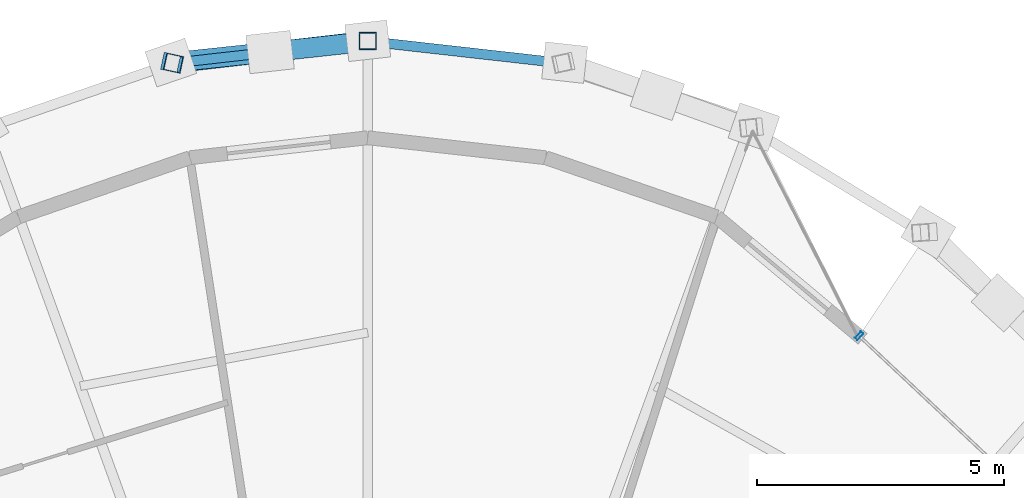
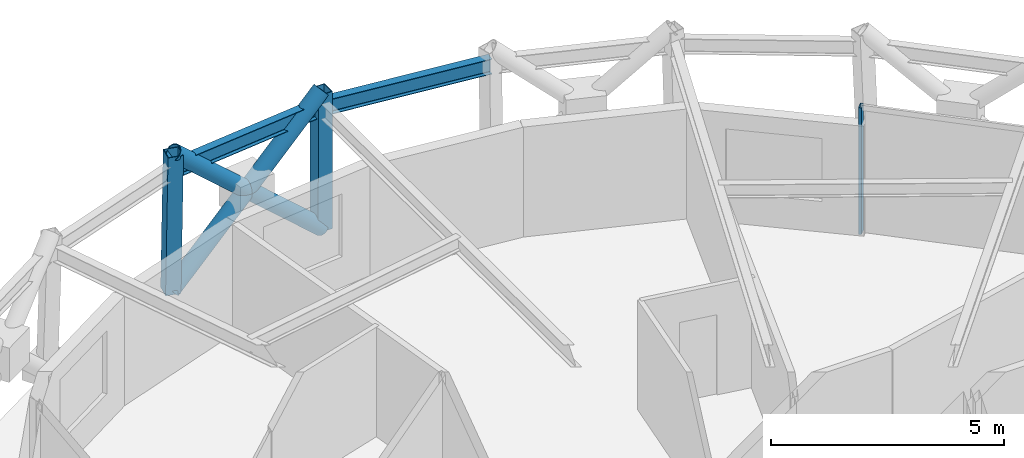
# One storey, part 7 of 16: 6 members, 2 beams, 1 element without a shape of its own.
"""IFC4 building model written with IfcOpenShell, lengths in metres."""

from ifc_helpers import new_model, si_unit, direction, frame, origin, origin_2d, place, context, subcontext, project, spatial, hollow_rectangle, hollow_circle, i_section, extrude, material, layer, layer_set, material_profile, profile_set, type_object, element, aggregate, save


model = new_model("IFC4")

# Units and contexts
model_context = context("Model", 3, precision=1e-05, world=origin(), true_north=direction((0.0, 1.0)))
body_context = subcontext(model_context, "Body", "Model", "MODEL_VIEW")
ifc_project = project(units=[si_unit("LENGTHUNIT", "METRE"), si_unit("AREAUNIT", "SQUARE_METRE"), si_unit("VOLUMEUNIT", "CUBIC_METRE"), si_unit("PLANEANGLEUNIT", "RADIAN"), si_unit("MASSUNIT", "GRAM", prefix="KILO")], contexts=[model_context])

# Site, building, storey
site_placement = place(None, origin())
site = spatial("IfcSite", under=ifc_project, at=site_placement, CompositionType="ELEMENT")
building_placement = place(site_placement, origin())
building = spatial("IfcBuilding", under=site, at=building_placement, Name="Veldorina Hangang Commons", CompositionType="ELEMENT")
storey_placement = place(building_placement, frame((0.0, 0.0, 283.199951171875)))
storey = spatial("IfcBuildingStorey", under=building, at=storey_placement, Name="L74", CompositionType="ELEMENT", Elevation=283.199951171875)

# Beams
ifc_material_1 = material(Name="Steel SM355-TMC", Category="steel")
ifc_material_profile_1 = material_profile(ifc_material_1, i_section(OverallWidth=0.199951171875, OverallDepth=0.39990234375, WebThickness=0.008056640625, FlangeThickness=0.012939453125, FilletRadius=0.012939453125, at=origin_2d()), Name="H-400x200x8x13")
ifc_profile_set_1 = profile_set([ifc_material_profile_1], Name="Steel SM355-TMC")
beam_type = type_object("IfcBeamType", Name="BM-RB400", PredefinedType="BEAM", material=ifc_profile_set_1)
for number, where, z_axis, x_axis, name in (
    (1, (35.92919921875, 46.497314453125, 3.16015625), (-0.99376950146, 0.111454824788, 0.0), (-0.111454824788, -0.99376950146, 0.0), "L74 perimeter hoop ring beam 07"),
    (2, (32.0, 46.93798828125, 3.16015625), (-0.99376950146, -0.111454824788, 0.0), (0.111454824788, -0.99376950146, 0.0), "L74 perimeter hoop ring beam 08"),
):
    element("IfcBeam", number, at=place(storey_placement, frame(where, z_axis=z_axis, x_axis=x_axis)), inside=storey, type_object=beam_type, Name=name, PredefinedType="BEAM", context=body_context, shape_type="SweptSolid", body=[
        extrude(i_section(OverallWidth=0.199951171875, OverallDepth=0.39990234375, WebThickness=0.008056640625, FlangeThickness=0.012939453125, FilletRadius=0.012939453125, at=origin_2d()), origin(), (0.0, 0.0, 1.0), 3.953857421875),
    ])

# Curtain wall, member
ifc_material_2 = material(Name="Glass Low-E Selective", Category="glass")
ifc_layer = layer(ifc_material_2, 0.179931640625)
ifc_layer_set = layer_set([ifc_layer], Name="Glass Low-E Selective")
curtain_wall_type = type_object("IfcCurtainWallType", Name="CW-SYS-Z3", PredefinedType="NOTDEFINED", material=ifc_layer_set)
curtain_wall_placement = place(storey_placement, origin())
curtain_wall = element("IfcCurtainWall", 3, at=curtain_wall_placement, inside=storey, type_object=curtain_wall_type, Name="L74 unitised curtain wall CW-L74-R1", PredefinedType="NOTDEFINED")
ifc_material_3 = material(Name="Aluminium Anodized AA6063-T6", Category="aluminium")
ifc_material_profile_2 = material_profile(ifc_material_3, hollow_rectangle(XDim=0.070068359375, YDim=0.179931640625, WallThickness=0.00390625, at=origin_2d()), Name="ALU-RHS-180x70x4")
ifc_profile_set_2 = profile_set([ifc_material_profile_2], Name="Aluminium Anodized AA6063-T6")
member_type_1 = type_object("IfcMemberType", Name="CW-MUL-180", PredefinedType="MULLION", material=ifc_profile_set_2)
member_1_placement = place(storey_placement, frame((41.927978515625, 40.985595703125, 0.0), z_axis=(0.0, 0.0, 1.0), x_axis=(0.729279189979, -0.684216239989, 0.0)))
member_1 = element("IfcMember", 4, at=member_1_placement, type_object=member_type_1, Name="CW-L74-R1 vertical mullion 4", PredefinedType="MULLION", context=body_context, shape_type="SweptSolid", body=[
    extrude(hollow_rectangle(XDim=0.070068359375, YDim=0.179931640625, WallThickness=0.00390625, at=origin_2d()), origin(), (0.0, 0.0, 1.0), 3.320068359375),
])
aggregate(curtain_wall, [member_1])

# Members
ifc_material_profile_3 = material_profile(ifc_material_1, hollow_circle(Radius=0.199951171875, WallThickness=0.02001953125, at=origin_2d()), Name="CHS-400x20")
ifc_profile_set_3 = profile_set([ifc_material_profile_3], Name="Steel SM355-TMC")
member_type_2 = type_object("IfcMemberType", Name="DG-CHS400", PredefinedType="BRACE", material=ifc_profile_set_3)
member_2_placement = place(storey_placement, frame((32.0, 46.948486328125, 0.0), z_axis=(-0.734093891992, -0.084754102797, 0.67373800531), x_axis=(0.114692164373, -0.993401080849, 0.0)))
element("IfcMember", 5, at=member_2_placement, inside=storey, type_object=member_type_2, Name="L74 continuous perimeter diagrid brace 08", PredefinedType="BRACE", context=body_context, shape_type="SweptSolid", body=[
    extrude(hollow_circle(Radius=0.199951171875, WallThickness=0.02001953125, at=origin_2d()), origin(), (0.0, 0.0, 1.0), 5.343505859375),
])
member_3_placement = place(storey_placement, frame((28.022216796875, 46.507568359375, 0.0), z_axis=(0.739183767217, 0.0785675579, 0.668905447077), x_axis=(-0.105694252157, 0.99439867511, 0.0)))
element("IfcMember", 6, at=member_3_placement, inside=storey, type_object=member_type_2, Name="L74 split perimeter diagrid lower brace 09", PredefinedType="BRACE", context=body_context, shape_type="SweptSolid", body=[
    extrude(hollow_circle(Radius=0.199951171875, WallThickness=0.02001953125, at=origin_2d()), origin(), (0.0, 0.0, 1.0), 2.709716796875),
])
member_4_placement = place(storey_placement, frame((30.025146484375, 46.720458984375, 1.8125), z_axis=(0.738960128337, 0.080756676159, 0.668891835788), x_axis=(-0.108637408187, 0.994081442107, 0.0)))
element("IfcMember", 7, at=member_4_placement, inside=storey, type_object=member_type_2, Name="L74 split perimeter diagrid upper brace 09", PredefinedType="BRACE", context=body_context, shape_type="SweptSolid", body=[
    extrude(hollow_circle(Radius=0.199951171875, WallThickness=0.02001953125, at=origin_2d()), origin(), (0.0, 0.0, 1.0), 2.67236328125),
])
ifc_material_profile_4 = material_profile(ifc_material_1, hollow_rectangle(XDim=0.35009765625, YDim=0.35009765625, WallThickness=0.01611328125, at=origin_2d()), Name="SHS-350x350x16")
ifc_profile_set_4 = profile_set([ifc_material_profile_4], Name="Steel SM355-TMC")
member_type_3 = type_object("IfcMemberType", Name="STR-SHS350", PredefinedType="STRUT", material=ifc_profile_set_4)
member_5_placement = place(storey_placement, frame((32.0, 46.948486328125, 0.0), z_axis=(0.0, -0.003390730542, 0.999994251457), x_axis=(1.0, 0.0, 0.0)))
element("IfcMember", 8, at=member_5_placement, inside=storey, type_object=member_type_3, Name="L74 perimeter ring node post 08", PredefinedType="STRUT", context=body_context, shape_type="SweptSolid", body=[
    extrude(hollow_rectangle(XDim=0.35009765625, YDim=0.35009765625, WallThickness=0.01611328125, at=origin_2d()), origin(), (0.0, 0.0, 1.0), 3.60009765625),
])
member_6_placement = place(storey_placement, frame((28.022216796875, 46.507568359375, 0.0), z_axis=(0.015324305885, -0.003322526497, 0.999877055676), x_axis=(0.211891025137, 0.977293299612, 0.0)))
element("IfcMember", 9, at=member_6_placement, inside=storey, type_object=member_type_3, Name="L74 perimeter ring node post 09", PredefinedType="STRUT", context=body_context, shape_type="SweptSolid", body=[
    extrude(hollow_rectangle(XDim=0.35009765625, YDim=0.35009765625, WallThickness=0.01611328125, at=origin_2d()), origin(), (0.0, 0.0, 1.0), 3.6005859375),
])

save(model, "model.ifc")
